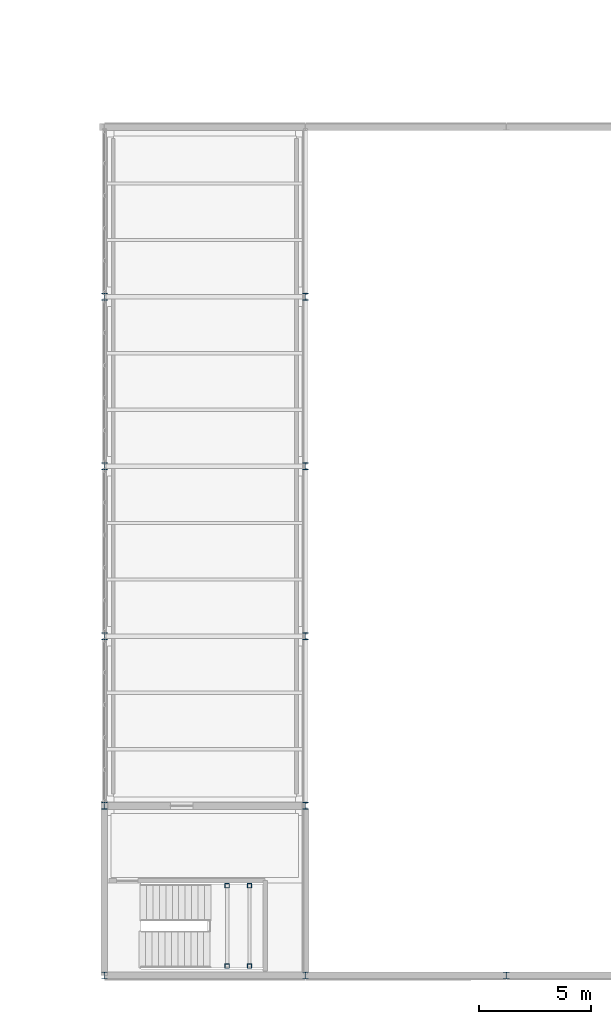
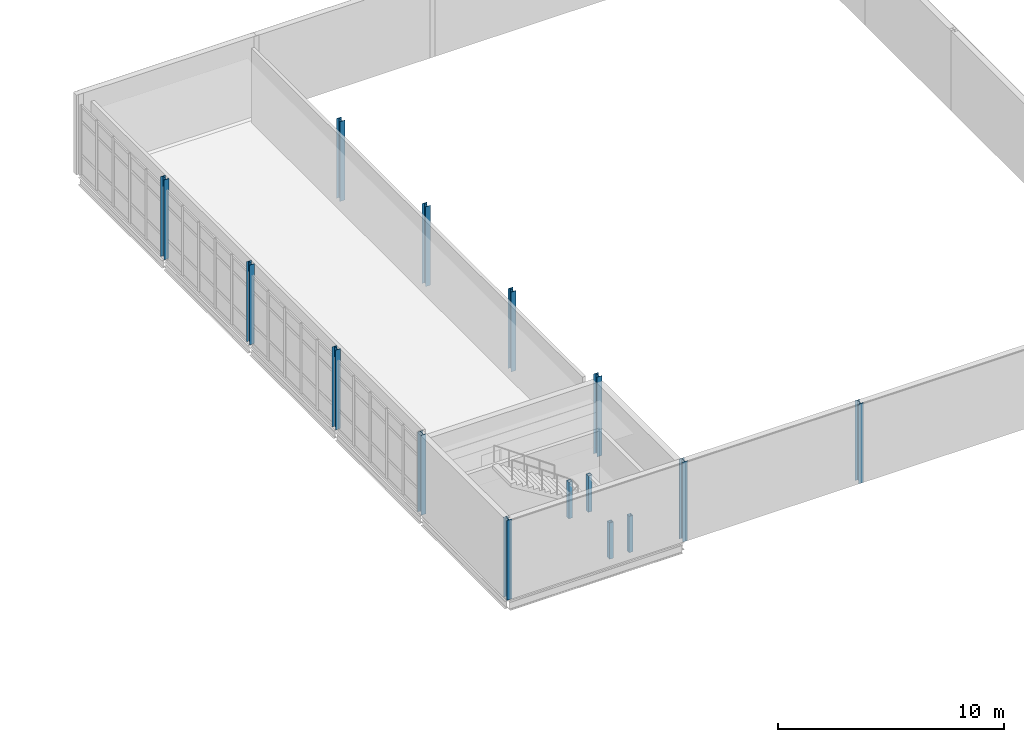
# One storey, part 22 of 174: 15 columns.
"""IFC4 building model written with IfcOpenShell, lengths in metres."""

from ifc_helpers import new_model, si_unit, direction, frame, origin, origin_2d, place, context, subcontext, project, spatial, hollow_rectangle, i_section, extrude, material, material_profile, profile_set, type_object, element, save


model = new_model("IFC4")

# Units and contexts
model_context = context("Model", 3, precision=1e-05, world=origin(), true_north=direction((0.0, 1.0)))
body_context = subcontext(model_context, "Body", "Model", "MODEL_VIEW")
ifc_project = project(units=[si_unit("LENGTHUNIT", "METRE"), si_unit("AREAUNIT", "SQUARE_METRE"), si_unit("VOLUMEUNIT", "CUBIC_METRE"), si_unit("PLANEANGLEUNIT", "RADIAN"), si_unit("MASSUNIT", "GRAM", prefix="KILO")], contexts=[model_context])

# Site, building, storey
site_placement = place(None, origin())
site = spatial("IfcSite", under=ifc_project, at=site_placement, CompositionType="ELEMENT")
building_placement = place(site_placement, origin())
building = spatial("IfcBuilding", under=site, at=building_placement, Name="Caisbarro Railhouse Central Library", CompositionType="ELEMENT")
storey_placement = place(building_placement, frame((0.0, 0.0, 5.0400390625)))
storey = spatial("IfcBuildingStorey", under=building, at=storey_placement, Name="L01", CompositionType="ELEMENT", Elevation=5.0400390625)

# Columns
ifc_material = material(Name="Steel ASTM A572 Grade 50", Category="steel")
ifc_material_profile_1 = material_profile(ifc_material, i_section(OverallWidth=0.25390625, OverallDepth=0.305908203125, WebThickness=0.0087890625, FlangeThickness=0.0146484375, FilletRadius=0.014892578125, at=origin_2d()), Name="W310X79.0")
ifc_profile_set_1 = profile_set([ifc_material_profile_1], Name="Steel ASTM A572 Grade 50")
column_type_1 = type_object("IfcColumnType", Name="COL-C07", PredefinedType="COLUMN", material=ifc_profile_set_1)
for number, where, z_axis, x_axis, name in (
    (1, (144.0, 0.0, 0.0), (0.0, 0.0, 1.0), (1.0, 0.0, 0.0), "C07 column L01 (144.0,0.0)"),
    (2, (144.0, 7.60009765625, 0.0), (0.0, 0.0, 1.0), (1.0, 0.0, 0.0), "C07 column L01 (144.0,7.6)"),
    (3, (144.0, 15.199951171875, 0.0), (0.0, 0.0, 1.0), (1.0, 0.0, 0.0), "C07 column L01 (144.0,15.2)"),
    (4, (144.0, 22.800048828125, 0.0), (0.0, 0.0, 1.0), (1.0, 0.0, 0.0), "C07 column L01 (144.0,22.8)"),
    (5, (144.0, 30.39990234375, 0.0), (0.0, 0.0, 1.0), (1.0, 0.0, 0.0), "C07 column L01 (144.0,30.4)"),
    (6, (153.0, 0.0, 0.0), (0.0, 0.0, 1.0), (1.0, 0.0, 0.0), "C07 column L01 (153.0,0.0)"),
    (7, (153.0, 7.60009765625, 0.0), (0.0, 0.0, 1.0), (1.0, 0.0, 0.0), "C07 column L01 (153.0,7.6)"),
    (8, (153.0, 15.199951171875, 0.0), (0.0, 0.0, 1.0), (1.0, 0.0, 0.0), "C07 column L01 (153.0,15.2)"),
    (9, (153.0, 22.800048828125, 0.0), (0.0, 0.0, 1.0), (1.0, 0.0, 0.0), "C07 column L01 (153.0,22.8)"),
    (10, (153.0, 30.39990234375, 0.0), (0.0, 0.0, 1.0), (1.0, 0.0, 0.0), "C07 column L01 (153.0,30.4)"),
    (11, (162.0, 0.0, 0.0), (0.0, 0.0, 1.0), (1.0, 0.0, 0.0), "C07 column L01 (162.0,0.0)"),
):
    element("IfcColumn", number, at=place(storey_placement, frame(where, z_axis=z_axis, x_axis=x_axis)), inside=storey, type_object=column_type_1, Name=name, PredefinedType="COLUMN", context=body_context, shape_type="SweptSolid", body=[
        extrude(i_section(OverallWidth=0.25390625, OverallDepth=0.305908203125, WebThickness=0.0087890625, FlangeThickness=0.0146484375, FilletRadius=0.014892578125, at=origin_2d()), origin(), (0.0, 0.0, 1.0), 4.320068359375),
    ])
ifc_material_profile_2 = material_profile(ifc_material, hollow_rectangle(XDim=0.199951171875, YDim=0.199951171875, WallThickness=0.012451171875, at=origin_2d()), Name="HSS200X200X12.5")
ifc_profile_set_2 = profile_set([ifc_material_profile_2], Name="Steel ASTM A572 Grade 50")
column_type_2 = type_object("IfcColumnType", Name="COL-C10", PredefinedType="COLUMN", material=ifc_profile_set_2)
for number, where, z_axis, x_axis, name in (
    (12, (149.5, 0.419921875, 0.0), (0.0, 0.0, 1.0), (1.0, 0.0, 0.0), "C10 Stair Landing Post K9 L01.1"),
    (13, (149.5, 4.030029296875, 0.0), (0.0, 0.0, 1.0), (1.0, 0.0, 0.0), "C10 Stair Landing Post K9 L01.2"),
    (14, (150.5, 0.419921875, 0.0), (0.0, 0.0, 1.0), (1.0, 0.0, 0.0), "C10 Stair Landing Post K9 L01.3"),
    (15, (150.5, 4.030029296875, 0.0), (0.0, 0.0, 1.0), (1.0, 0.0, 0.0), "C10 Stair Landing Post K9 L01.4"),
):
    element("IfcColumn", number, at=place(storey_placement, frame(where, z_axis=z_axis, x_axis=x_axis)), inside=storey, type_object=column_type_2, Name=name, PredefinedType="COLUMN", context=body_context, shape_type="SweptSolid", body=[
        extrude(hollow_rectangle(XDim=0.199951171875, YDim=0.199951171875, WallThickness=0.012451171875, at=origin_2d()), origin(), (0.0, 0.0, 1.0), 1.969970703125),
    ])

save(model, "model.ifc")
